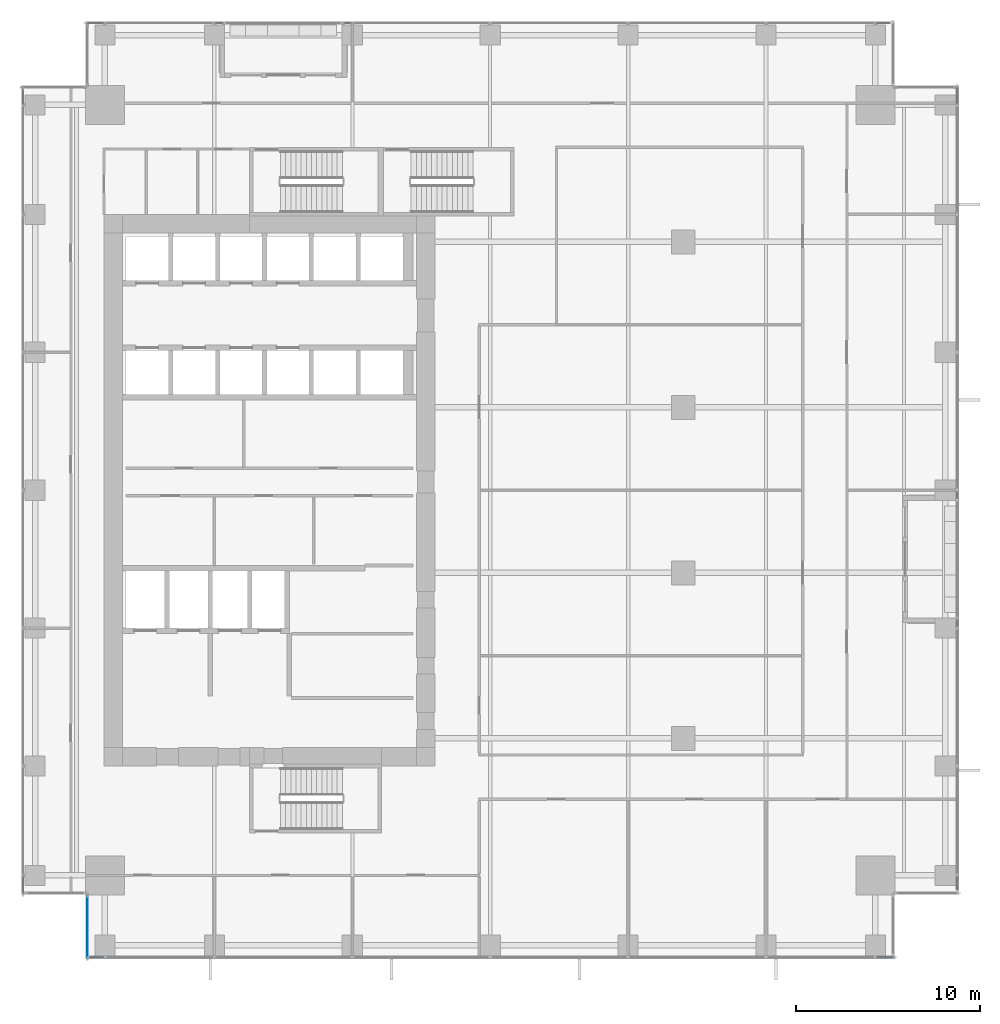
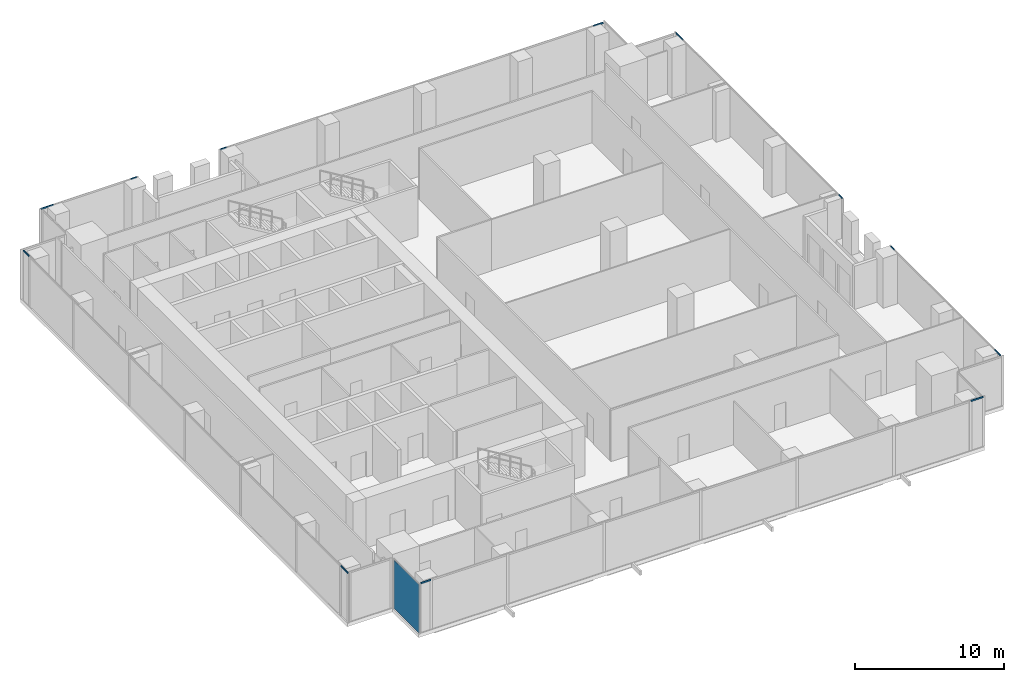
# One storey, part 22 of 34: 12 members, 1 plate, 7 elements without a shape of their own.
"""IFC4 building model written with IfcOpenShell, lengths in metres."""

from ifc_helpers import new_model, si_unit, direction, frame, origin, origin_2d, place, context, subcontext, project, spatial, rectangle, hollow_rectangle, extrude, source, transform, mapped, material, layer, layer_set, material_profile, profile_set, type_object, element, aggregate, save


model = new_model("IFC4")

# Units and contexts
model_context = context("Model", 3, precision=1e-05, world=origin(), true_north=direction((0.0, 1.0)))
body_context = subcontext(model_context, "Body", "Model", "MODEL_VIEW")
ifc_project = project(units=[si_unit("LENGTHUNIT", "METRE"), si_unit("AREAUNIT", "SQUARE_METRE"), si_unit("VOLUMEUNIT", "CUBIC_METRE"), si_unit("PLANEANGLEUNIT", "RADIAN"), si_unit("MASSUNIT", "GRAM", prefix="KILO")], contexts=[model_context])

# Site, building, storey
site_placement = place(None, origin())
site = spatial("IfcSite", under=ifc_project, at=site_placement, CompositionType="ELEMENT")
building_placement = place(site_placement, origin())
building = spatial("IfcBuilding", under=site, at=building_placement, Name="Khomas Fold Tower", CompositionType="ELEMENT")
storey_placement = place(building_placement, frame((0.0, 0.0, 105.89990234375)))
storey = spatial("IfcBuildingStorey", under=building, at=storey_placement, Name="L22", CompositionType="ELEMENT", Elevation=105.89990234375)

# Curtain wall, member
ifc_material_1 = material(Name="Aluminium framed double glazing", Category="aluminium")
curtain_wall_type = type_object("IfcCurtainWallType", Name="SK-Unitised clear-glass wall, growing floors CW1", PredefinedType="NOTDEFINED", material=ifc_material_1)
curtain_wall_1_placement = place(storey_placement, origin())
curtain_wall_1 = element("IfcCurtainWall", 1, at=curtain_wall_1_placement, inside=storey, type_object=curtain_wall_type, Name="CW1 run L22 00-0", PredefinedType="NOTDEFINED")
ifc_material_2 = material(Name="Aluminium", Category="aluminium")
ifc_material_profile = material_profile(ifc_material_2, hollow_rectangle(XDim=0.06005859375, YDim=0.1201171875, WallThickness=0.00390625, at=origin_2d()), Name="SK-Unitised clear-glass wall, growing floors transom CW1-T")
ifc_profile_set = profile_set([ifc_material_profile], Name="Aluminium")
member_type = type_object("IfcMemberType", Name="SK-Unitised clear-glass wall, growing floors transom CW1-T", PredefinedType="USERDEFINED", material=ifc_profile_set)
shared_shape_1 = source(origin(), body_context, "Body", "SweptSolid", [
    extrude(hollow_rectangle(XDim=0.06005859375, YDim=0.1201171875, WallThickness=0.00390625, at=origin_2d()), origin(), (0.0, 0.0, 1.0), 0.760009765625),
])
member_1_placement = place(storey_placement, frame((5.260009765625, 1.60009765625, 4.0400390625), z_axis=(1.0, 0.0, 0.0), x_axis=(0.0, 1.0, 0.0)))
member_1 = element("IfcMember", 2, at=member_1_placement, type_object=member_type, Name="CW1 transom 1", ObjectType="TRANSOM", PredefinedType="USERDEFINED", context=body_context, shape_type="MappedRepresentation", body=[
    mapped(shared_shape_1, transform((0.0, 0.0, 0.0))),
])

curtain_wall_2_placement = place(storey_placement, origin())
curtain_wall_2 = element("IfcCurtainWall", 3, at=curtain_wall_2_placement, inside=storey, type_object=curtain_wall_type, Name="CW1 run L22 03-0", PredefinedType="NOTDEFINED")
member_2_placement = place(storey_placement, frame((52.39990234375, 5.260009765625, 4.0400390625), z_axis=(0.0, 1.0, 0.0), x_axis=(-1.0, 0.0, 0.0)))
member_2 = element("IfcMember", 4, at=member_2_placement, type_object=member_type, Name="CW1 transom 1", ObjectType="TRANSOM", PredefinedType="USERDEFINED", context=body_context, shape_type="MappedRepresentation", body=[
    mapped(shared_shape_1, transform((0.0, 0.0, 0.0))),
])

curtain_wall_3_placement = place(storey_placement, origin())
curtain_wall_3 = element("IfcCurtainWall", 5, at=curtain_wall_3_placement, inside=storey, type_object=curtain_wall_type, Name="CW1 run L22 06-0", PredefinedType="NOTDEFINED")
member_3_placement = place(storey_placement, frame((48.739990234375, 52.39990234375, 4.0400390625), z_axis=(-1.0, 0.0, 0.0), x_axis=(0.0, -1.0, 0.0)))
member_3 = element("IfcMember", 6, at=member_3_placement, type_object=member_type, Name="CW1 transom 1", ObjectType="TRANSOM", PredefinedType="USERDEFINED", context=body_context, shape_type="MappedRepresentation", body=[
    mapped(shared_shape_1, transform((0.0, 0.0, 0.0))),
])

curtain_wall_4_placement = place(storey_placement, origin())
curtain_wall_4 = element("IfcCurtainWall", 7, at=curtain_wall_4_placement, inside=storey, type_object=curtain_wall_type, Name="CW1 run L22 09-0", PredefinedType="NOTDEFINED")
member_4_placement = place(storey_placement, frame((1.60009765625, 48.739990234375, 4.0400390625), z_axis=(0.0, -1.0, 0.0), x_axis=(1.0, 0.0, 0.0)))
member_4 = element("IfcMember", 8, at=member_4_placement, type_object=member_type, Name="CW1 transom 1", ObjectType="TRANSOM", PredefinedType="USERDEFINED", context=body_context, shape_type="MappedRepresentation", body=[
    mapped(shared_shape_1, transform((0.0, 0.0, 0.0))),
])

# Member
shared_shape_2 = source(origin(), body_context, "Body", "SweptSolid", [
    extrude(hollow_rectangle(XDim=0.06005859375, YDim=0.1201171875, WallThickness=0.00390625, at=origin_2d()), origin(), (0.0, 0.0, 1.0), 0.9599609375),
])
member_5_placement = place(storey_placement, frame((47.97998046875, 1.60009765625, 4.0400390625), z_axis=(1.0, 0.0, 0.0), x_axis=(0.0, 1.0, 0.0)))
member_5 = element("IfcMember", 9, at=member_5_placement, type_object=member_type, Name="CW1 transom 8", ObjectType="TRANSOM", PredefinedType="USERDEFINED", context=body_context, shape_type="MappedRepresentation", body=[
    mapped(shared_shape_2, transform((0.0, 0.0, 0.0))),
])

aggregate(curtain_wall_1, [member_1, member_5])

# Curtain wall, member
curtain_wall_5_placement = place(storey_placement, origin())
curtain_wall_5 = element("IfcCurtainWall", 10, at=curtain_wall_5_placement, inside=storey, type_object=curtain_wall_type, Name="CW1 run L22 03-1", PredefinedType="NOTDEFINED")
member_6_placement = place(storey_placement, frame((52.39990234375, 47.97998046875, 4.0400390625), z_axis=(0.0, 1.0, 0.0), x_axis=(-1.0, 0.0, 0.0)))
member_6 = element("IfcMember", 11, at=member_6_placement, type_object=member_type, Name="CW1 transom 5", ObjectType="TRANSOM", PredefinedType="USERDEFINED", context=body_context, shape_type="MappedRepresentation", body=[
    mapped(shared_shape_2, transform((0.0, 0.0, 0.0))),
])

curtain_wall_6_placement = place(storey_placement, origin())
curtain_wall_6 = element("IfcCurtainWall", 12, at=curtain_wall_6_placement, inside=storey, type_object=curtain_wall_type, Name="CW1 run L22 06-1", PredefinedType="NOTDEFINED")
member_7_placement = place(storey_placement, frame((6.02001953125, 52.39990234375, 4.0400390625), z_axis=(-1.0, 0.0, 0.0), x_axis=(0.0, -1.0, 0.0)))
member_7 = element("IfcMember", 13, at=member_7_placement, type_object=member_type, Name="CW1 transom 3", ObjectType="TRANSOM", PredefinedType="USERDEFINED", context=body_context, shape_type="MappedRepresentation", body=[
    mapped(shared_shape_2, transform((0.0, 0.0, 0.0))),
])

# Member
member_8_placement = place(storey_placement, frame((1.60009765625, 6.02001953125, 4.0400390625), z_axis=(0.0, -1.0, 0.0), x_axis=(1.0, 0.0, 0.0)))
member_8 = element("IfcMember", 14, at=member_8_placement, type_object=member_type, Name="CW1 transom 8", ObjectType="TRANSOM", PredefinedType="USERDEFINED", context=body_context, shape_type="MappedRepresentation", body=[
    mapped(shared_shape_2, transform((0.0, 0.0, 0.0))),
])

aggregate(curtain_wall_4, [member_4, member_8])

shared_shape_3 = source(origin(), body_context, "Body", "SweptSolid", [
    extrude(hollow_rectangle(XDim=0.06005859375, YDim=0.1201171875, WallThickness=0.00390625, at=origin_2d()), origin(), (0.0, 0.0, 1.0), 0.4599609375),
])
member_9_placement = place(storey_placement, frame((52.39990234375, 19.530029296875, 4.0400390625), z_axis=(0.0, 1.0, 0.0), x_axis=(-1.0, 0.0, 0.0)))
member_9 = element("IfcMember", 15, at=member_9_placement, type_object=member_type, Name="CW1 transom 4", ObjectType="TRANSOM", PredefinedType="USERDEFINED", context=body_context, shape_type="MappedRepresentation", body=[
    mapped(shared_shape_3, transform((0.0, 0.0, 0.0))),
])

aggregate(curtain_wall_2, [member_2, member_9])

member_10_placement = place(storey_placement, frame((52.39990234375, 26.510009765625, 4.0400390625), z_axis=(0.0, 1.0, 0.0), x_axis=(-1.0, 0.0, 0.0)))
member_10 = element("IfcMember", 16, at=member_10_placement, type_object=member_type, Name="CW1 transom 1", ObjectType="TRANSOM", PredefinedType="USERDEFINED", context=body_context, shape_type="MappedRepresentation", body=[
    mapped(shared_shape_3, transform((0.0, 0.0, 0.0))),
])

aggregate(curtain_wall_5, [member_10, member_6])

member_11_placement = place(storey_placement, frame((19.469970703125, 52.39990234375, 4.0400390625), z_axis=(-1.0, 0.0, 0.0), x_axis=(0.0, -1.0, 0.0)))
member_11 = element("IfcMember", 17, at=member_11_placement, type_object=member_type, Name="CW1 transom 6", ObjectType="TRANSOM", PredefinedType="USERDEFINED", context=body_context, shape_type="MappedRepresentation", body=[
    mapped(shared_shape_3, transform((0.0, 0.0, 0.0))),
])

aggregate(curtain_wall_3, [member_3, member_11])

member_12_placement = place(storey_placement, frame((12.489990234375, 52.39990234375, 4.0400390625), z_axis=(-1.0, 0.0, 0.0), x_axis=(0.0, -1.0, 0.0)))
member_12 = element("IfcMember", 18, at=member_12_placement, type_object=member_type, Name="CW1 transom 1", ObjectType="TRANSOM", PredefinedType="USERDEFINED", context=body_context, shape_type="MappedRepresentation", body=[
    mapped(shared_shape_3, transform((0.0, 0.0, 0.0))),
])

aggregate(curtain_wall_6, [member_12, member_7])

# Curtain wall, plate
curtain_wall_7_placement = place(storey_placement, origin())
curtain_wall_7 = element("IfcCurtainWall", 19, at=curtain_wall_7_placement, inside=storey, type_object=curtain_wall_type, Name="CW1 corner return L22 11", PredefinedType="NOTDEFINED")
ifc_material_3 = material(Name="Clear double glazed unit")
ifc_layer = layer(ifc_material_3, 0.031982421875)
ifc_layer_set = layer_set([ifc_layer], Name="Clear double glazed unit")
plate_type = type_object("IfcPlateType", Name="SK-Unitised clear-glass wall, growing floors glass panel CW1-P", PredefinedType="CURTAIN_PANEL", material=ifc_layer_set)
shared_shape_4 = source(origin(), body_context, "Body", "SweptSolid", [
    extrude(rectangle(XDim=3.3798828125, YDim=0.031982421875, at=origin_2d()), origin(), (0.0, 0.0, 1.0), 3.97998046875),
])
plate_placement = place(storey_placement, frame((5.10009765625, 3.25, 0.0), z_axis=(0.0, 0.0, 1.0), x_axis=(0.0, -1.0, 0.0)))
plate = element("IfcPlate", 20, at=plate_placement, type_object=plate_type, Name="CW1 glass panel 1", PredefinedType="CURTAIN_PANEL", context=body_context, shape_type="MappedRepresentation", body=[
    mapped(shared_shape_4, transform((0.0, 0.0, 0.0))),
])
aggregate(curtain_wall_7, [plate])

save(model, "model.ifc")
